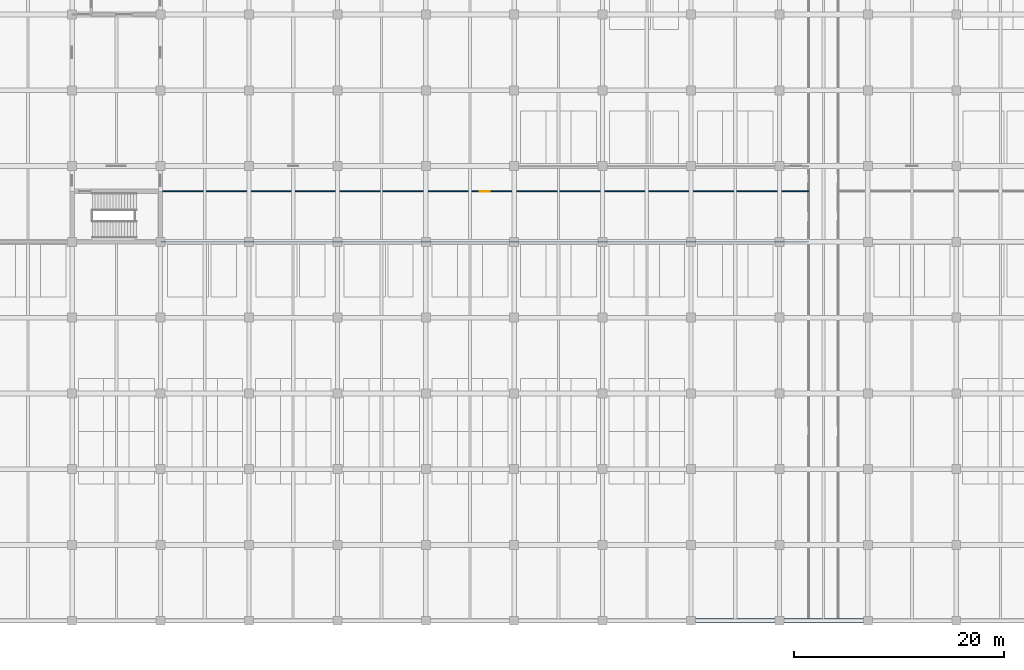
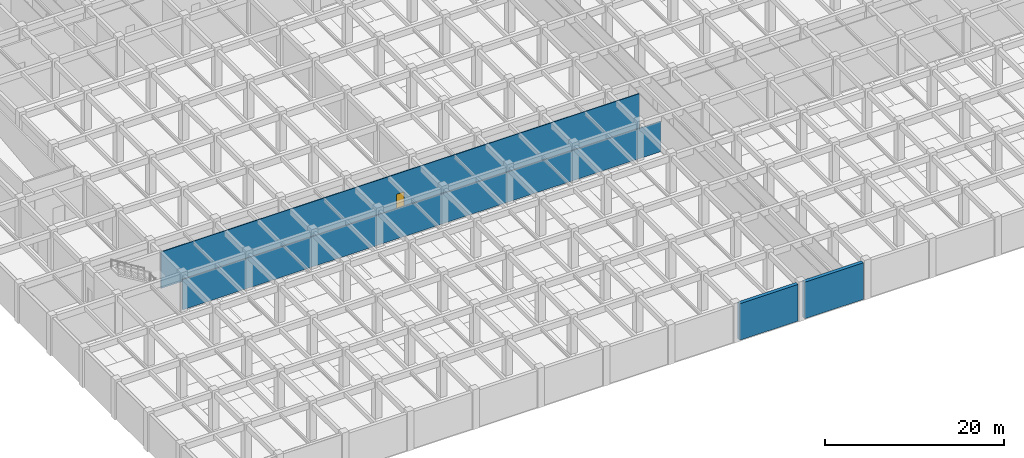
# One storey, part 14 of 48: 4 walls, 1 door, 1 opening.
"""IFC4 building model written with IfcOpenShell, lengths in metres."""

import ifcopenshell
import ifcopenshell.guid

model = None  # the IFC model being written
_history = None  # IfcOwnerHistory: only IFC2X3 demands one
_inside = {}  # id of a spatial element -> (the spatial element, [elements in it])
_under = {}  # id of a project, library or spatial element -> (it, [spatial elements below it])
_declared = {}  # id of a project -> (the project, [libraries it declares])
_typed = {}  # id of a type object -> (the type object, [elements of that type])
_made_of = {}  # id of a material, layer set ... -> (it, [elements and type objects made of it])


def new_model(schema):
    """Start an empty IFC model of exactly this schema.

    Asked for "IFC4X3", IfcOpenShell would pick the latest addendum, in which some entities
    have other attributes; the version numbers below select the first issue.
    IFC2X3 requires an IfcOwnerHistory on every rooted entity: one is made here for all.
    """
    global model, _history
    if schema == "IFC4X3":
        model = ifcopenshell.file(schema_version=(4, 3, 0, 0))
    else:
        model = ifcopenshell.file(schema=schema)
    _inside.clear()
    _under.clear()
    _declared.clear()
    _typed.clear()
    _made_of.clear()
    _history = None
    if model.schema == "IFC2X3":
        org = make("IfcOrganization", Name="unknown")
        user = make(
            "IfcPersonAndOrganization",
            ThePerson=make("IfcPerson", FamilyName="unknown"),
            TheOrganization=org,
        )
        app = make(
            "IfcApplication",
            ApplicationDeveloper=org,
            Version="unknown",
            ApplicationFullName="unknown",
            ApplicationIdentifier="unknown",
        )
        _history = make(
            "IfcOwnerHistory",
            OwningUser=user,
            OwningApplication=app,
            ChangeAction="ADDED",
            CreationDate=0,
        )
    return model


def make(cls, **values):
    """One entity of the class cls with the attributes given. An attribute that is None is left unset."""
    return model.create_entity(
        cls, **{name: value for name, value in values.items() if value is not None}
    )


def rooted(cls, **values):
    """An entity with a GlobalId (a new one), such as an element, a storey or a relation."""
    return make(cls, GlobalId=ifcopenshell.guid.new(), OwnerHistory=_history, **values)


def si_unit(unit_type, name, prefix=None):
    """IfcSIUnit, for example si_unit("LENGTHUNIT", "METRE", prefix="MILLI")."""
    return make("IfcSIUnit", UnitType=unit_type, Prefix=prefix, Name=name)


def assignment(units):
    """IfcUnitAssignment: the units of a project."""
    return None if units is None else make("IfcUnitAssignment", Units=units)


def point(xyz):
    """IfcCartesianPoint."""
    return None if xyz is None else make("IfcCartesianPoint", Coordinates=xyz)


def direction(xyz):
    """IfcDirection."""
    return None if xyz is None else make("IfcDirection", DirectionRatios=xyz)


def frame(location, z_axis=None, x_axis=None):
    """IfcAxis2Placement3D, a coordinate frame: its origin and axes. An axis left out is left unset."""
    return make(
        "IfcAxis2Placement3D",
        Location=point(location),
        Axis=direction(z_axis),
        RefDirection=direction(x_axis),
    )


def frame_2d(location, x_axis=None):
    """IfcAxis2Placement2D, a coordinate frame in the plane: its origin and x axis."""
    return make(
        "IfcAxis2Placement2D", Location=point(location), RefDirection=direction(x_axis)
    )


def origin():
    """The frame at (0, 0, 0) with its axes left unset."""
    return frame((0.0, 0.0, 0.0))


def place(relative_to, where):
    """IfcLocalPlacement: puts the frame where relative to a parent placement (None: the world)."""
    return make(
        "IfcLocalPlacement", PlacementRelTo=relative_to, RelativePlacement=where
    )


def context(
    kind, dimensions, precision=None, world=None, true_north=None, identifier=None
):
    """IfcGeometricRepresentationContext, for example the 3D "Model" context."""
    return make(
        "IfcGeometricRepresentationContext",
        ContextIdentifier=identifier,
        ContextType=kind,
        CoordinateSpaceDimension=dimensions,
        Precision=precision,
        WorldCoordinateSystem=world,
        TrueNorth=true_north,
    )


def subcontext(parent, identifier, kind, view, scale=None):
    """IfcGeometricRepresentationSubContext, for example "Body" below "Model"."""
    return make(
        "IfcGeometricRepresentationSubContext",
        ContextIdentifier=identifier,
        ContextType=kind,
        ParentContext=parent,
        TargetScale=scale,
        TargetView=view,
    )


def project(units=None, contexts=None):
    """IfcProject with its units and contexts."""
    return rooted(
        "IfcProject",
        Name="project",
        RepresentationContexts=contexts,
        UnitsInContext=assignment(units),
    )


def spatial(cls, under=None, at=None, **own):
    """A site, building, storey or space (cls), placed at a placement, below another one or the project."""
    s = rooted(cls, ObjectPlacement=at, **own)
    if under is not None:
        _under.setdefault(under.id(), (under, []))[1].append(s)
    return s


def profile(cls, at=None, kind="AREA", **sizes):
    """A parametric profile (cls). Its sizes go by their IFC names, for example OverallWidth=200.0."""
    return make(cls, ProfileType=kind, Position=at, **sizes)


def rectangle(**sizes):
    """IfcRectangleProfileDef."""
    return profile("IfcRectangleProfileDef", **sizes)


def extrude(swept, where, along, depth):
    """IfcExtrudedAreaSolid: the profile swept, set in the frame where, extruded along a direction by depth."""
    return make(
        "IfcExtrudedAreaSolid",
        SweptArea=swept,
        Position=where,
        ExtrudedDirection=direction(along),
        Depth=depth,
    )


def shape(context_of_items, identifier, shape_type, items):
    """IfcShapeRepresentation: the items that make up one representation, for example the "Body"."""
    return make(
        "IfcShapeRepresentation",
        ContextOfItems=context_of_items,
        RepresentationIdentifier=identifier,
        RepresentationType=shape_type,
        Items=items,
    )


def material(Name=None, Category=None):
    """IfcMaterial."""
    return make("IfcMaterial", Name=Name, Category=Category)


def layer(
    of_material, thickness, ventilated=None, Name=None, Category=None, Priority=None
):
    """IfcMaterialLayer: one layer of a wall or slab, of a material (None: an air gap)."""
    return make(
        "IfcMaterialLayer",
        Material=of_material,
        LayerThickness=thickness,
        IsVentilated=ventilated,
        Name=Name,
        Category=Category,
        Priority=Priority,
    )


def layer_set(layers, Name=None):
    """IfcMaterialLayerSet."""
    return make("IfcMaterialLayerSet", MaterialLayers=layers, LayerSetName=Name)


def made_of(thing, what):
    """Note that an element or type object is made of a material, layer set ...; save() writes the relation."""
    if what is not None:
        _made_of.setdefault(what.id(), (what, []))[1].append(thing)
    return thing


def type_object(cls, material=None, **own):
    """A type object (cls), such as IfcWallType, which elements share."""
    return made_of(rooted(cls, **own), material)


def element(
    cls,
    number,
    at=None,
    inside=None,
    cuts=None,
    type_object=None,
    material=None,
    context=None,
    identifier="Body",
    shape_type=None,
    held_by="IfcProductDefinitionShape",
    body=None,
    shapes=None,
    **own,
):
    """One element of the class cls, such as IfcWall. Its Tag is "e" and its number.

    at: its placement. inside: the storey or other place that contains it. cuts: it is an
    opening in that element (IfcRelVoidsElement). A single representation is given by context,
    identifier, shape_type and body (its items); several are given by shapes. held_by: the class
    of the entity that holds the representations. save() writes the other relations.
    """
    e = rooted(cls, Tag="e%d" % number, ObjectPlacement=at, **own)
    if body is not None:
        shapes = [shape(context, identifier, shape_type, body)]
    if shapes is not None:
        e.Representation = make(held_by, Representations=shapes)
    if inside is not None:
        _inside.setdefault(inside.id(), (inside, []))[1].append(e)
    if cuts is not None:
        rooted(
            "IfcRelVoidsElement", RelatingBuildingElement=cuts, RelatedOpeningElement=e
        )
    if type_object is not None:
        _typed.setdefault(type_object.id(), (type_object, []))[1].append(e)
    return made_of(e, material)


def fill(opening, filler):
    """IfcRelFillsElement: the door or window that sits in an opening."""
    return rooted(
        "IfcRelFillsElement",
        RelatingOpeningElement=opening,
        RelatedBuildingElement=filler,
    )


def aggregate(whole, parts):
    """IfcRelAggregates: a whole, such as a stair, and the parts it consists of."""
    return rooted("IfcRelAggregates", RelatingObject=whole, RelatedObjects=parts)


def save(model, path):
    """Write the relations noted so far, then the file.

    IfcRelAggregates (storeys below a building ...), IfcRelContainedInSpatialStructure (elements
    in a storey), IfcRelDefinesByType, IfcRelAssociatesMaterial and IfcRelDeclares: one each for
    every whole, place, type object, material and project.
    """
    for whole, parts in _under.values():
        aggregate(whole, parts)
    for where, things in _inside.values():
        rooted(
            "IfcRelContainedInSpatialStructure",
            RelatedElements=things,
            RelatingStructure=where,
        )
    for kind, things in _typed.values():
        rooted("IfcRelDefinesByType", RelatedObjects=things, RelatingType=kind)
    for what, things in _made_of.values():
        rooted("IfcRelAssociatesMaterial", RelatedObjects=things, RelatingMaterial=what)
    for by, libraries in _declared.values():
        rooted("IfcRelDeclares", RelatingContext=by, RelatedDefinitions=libraries)
    model.write(path)


model = new_model("IFC4")

# Units and contexts
model_context = context("Model", 3, precision=1e-05, world=origin(), true_north=direction((0.0, 1.0)))
body_context = subcontext(model_context, "Body", "Model", "MODEL_VIEW")
ifc_project = project(units=[si_unit("LENGTHUNIT", "METRE"), si_unit("AREAUNIT", "SQUARE_METRE"), si_unit("VOLUMEUNIT", "CUBIC_METRE"), si_unit("PLANEANGLEUNIT", "RADIAN"), si_unit("MASSUNIT", "GRAM", prefix="KILO")], contexts=[model_context])

# Site, building, storey
site_placement = place(None, origin())
site = spatial("IfcSite", under=ifc_project, at=site_placement, CompositionType="ELEMENT")
building_placement = place(site_placement, origin())
building = spatial("IfcBuilding", under=site, at=building_placement, Name="Chengyuan Square Courthouse", CompositionType="ELEMENT")
storey_placement = place(building_placement, frame((0.0, 0.0, -5.39990234375)))
storey = spatial("IfcBuildingStorey", under=building, at=storey_placement, Name="B01", CompositionType="ELEMENT", Elevation=-5.39990234375)

# Wall
ifc_material_1 = material(Name="Gypsum Plasterboard Acoustic Stud Partition")
ifc_layer_1 = layer(ifc_material_1, 0.10009765625)
ifc_layer_set_1 = layer_set([ifc_layer_1], Name="Gypsum Plasterboard Acoustic Stud Partition")
wall_type_1 = type_object("IfcWallType", Name="WL-PT6", PredefinedType="STANDARD", material=ifc_layer_set_1)
wall_1_placement = place(storey_placement, frame((16.800048828125, 36.0, 0.0), z_axis=(0.0, 0.0, 1.0), x_axis=(1.0, 0.0, 0.0)))
element("IfcWall", 1, at=wall_1_placement, inside=storey, type_object=wall_type_1, Name="Interior Wall WL-B01-I280", PredefinedType="STANDARD", context=body_context, shape_type="SweptSolid", body=[
    extrude(rectangle(XDim=61.599853515625, YDim=0.10009765625, at=frame_2d((30.7998046875, 0.0))), origin(), (0.0, 0.0, 1.0), 4.1298828125),
])

# Wall, opening, door
wall_2_placement = place(storey_placement, frame((16.800048828125, 40.800048828125, 0.0), z_axis=(0.0, 0.0, 1.0), x_axis=(1.0, 0.0, 0.0)))
wall_2 = element("IfcWall", 2, at=wall_2_placement, inside=storey, type_object=wall_type_1, Name="Interior Wall WL-B01-I285", PredefinedType="STANDARD", context=body_context, shape_type="SweptSolid", body=[
    extrude(rectangle(XDim=61.599853515625, YDim=0.10009765625, at=frame_2d((30.7998046875, 0.0))), origin(), (0.0, 0.0, 1.0), 4.97998046875),
])
opening_placement = place(wall_2_placement, frame((30.320068359375, 0.0, 0.0)))
opening = element("IfcOpeningElement", 3, at=opening_placement, cuts=wall_2, Name="Opening DR-649", PredefinedType="OPENING", context=body_context, shape_type="SweptSolid", body=[
    extrude(rectangle(XDim=0.9599609375, YDim=2.199951171875, at=frame_2d((0.47998046875, 1.10009765625))), frame((0.0, 0.06201171875, 0.0), z_axis=(0.0, -1.0, 0.0), x_axis=(1.0, 0.0, 0.0)), (0.0, 0.0, 1.0), 0.1240234375),
])
ifc_material_2 = material(Name="Acoustic Solid-Core Timber Door", Category="wood")
door_type = type_object("IfcDoorType", Name="DT-30", OperationType="NOTDEFINED", PredefinedType="DOOR", material=ifc_material_2)
door_placement = place(opening_placement, origin())
door = element("IfcDoor", 4, at=door_placement, inside=storey, type_object=door_type, Name="Interior Door DR-649", OperationType="SINGLE_SWING_RIGHT", OverallHeight=2.199951171875, OverallWidth=0.9599609375, PredefinedType="DOOR", context=body_context, shape_type="SweptSolid", body=[
    extrude(rectangle(XDim=0.9599609375, YDim=2.199951171875, at=frame_2d((0.47998046875, 1.10009765625))), frame((0.0, 0.02490234375, 0.0), z_axis=(0.0, -1.0, 0.0), x_axis=(1.0, 0.0, 0.0)), (0.0, 0.0, 1.0), 0.050048828125),
])
fill(opening, door)

# Walls
ifc_material_3 = material(Name="Concrete C40", Category="concrete")
ifc_layer_2 = layer(ifc_material_3, 0.449951171875)
ifc_layer_set_2 = layer_set([ifc_layer_2], Name="Concrete C40")
wall_type_2 = type_object("IfcWallType", Name="WL-RW2", PredefinedType="USERDEFINED", material=ifc_layer_set_2)
wall_3_placement = place(storey_placement, frame((67.6201171875, 0.0, 0.0), z_axis=(0.0, 0.0, 1.0), x_axis=(1.0, 0.0, 0.0)))
element("IfcWall", 5, at=wall_3_placement, inside=storey, type_object=wall_type_2, Name="Basement Retaining Wall WL-B01-E105", ObjectType="RETAININGWALL", PredefinedType="USERDEFINED", context=body_context, shape_type="SweptSolid", body=[
    extrude(rectangle(XDim=7.559814453125, YDim=0.449951171875, at=frame_2d((3.77978515625, 0.0))), origin(), (0.0, 0.0, 1.0), 4.97998046875),
])
wall_4_placement = place(storey_placement, frame((76.02001953125, 0.0, 0.0), z_axis=(0.0, 0.0, 1.0), x_axis=(1.0, 0.0, 0.0)))
element("IfcWall", 6, at=wall_4_placement, inside=storey, type_object=wall_type_2, Name="Basement Retaining Wall WL-B01-E107", ObjectType="RETAININGWALL", PredefinedType="USERDEFINED", context=body_context, shape_type="SweptSolid", body=[
    extrude(rectangle(XDim=7.56005859375, YDim=0.449951171875, at=frame_2d((3.780029296875, 0.0))), origin(), (0.0, 0.0, 1.0), 4.97998046875),
])

save(model, "model.ifc")
